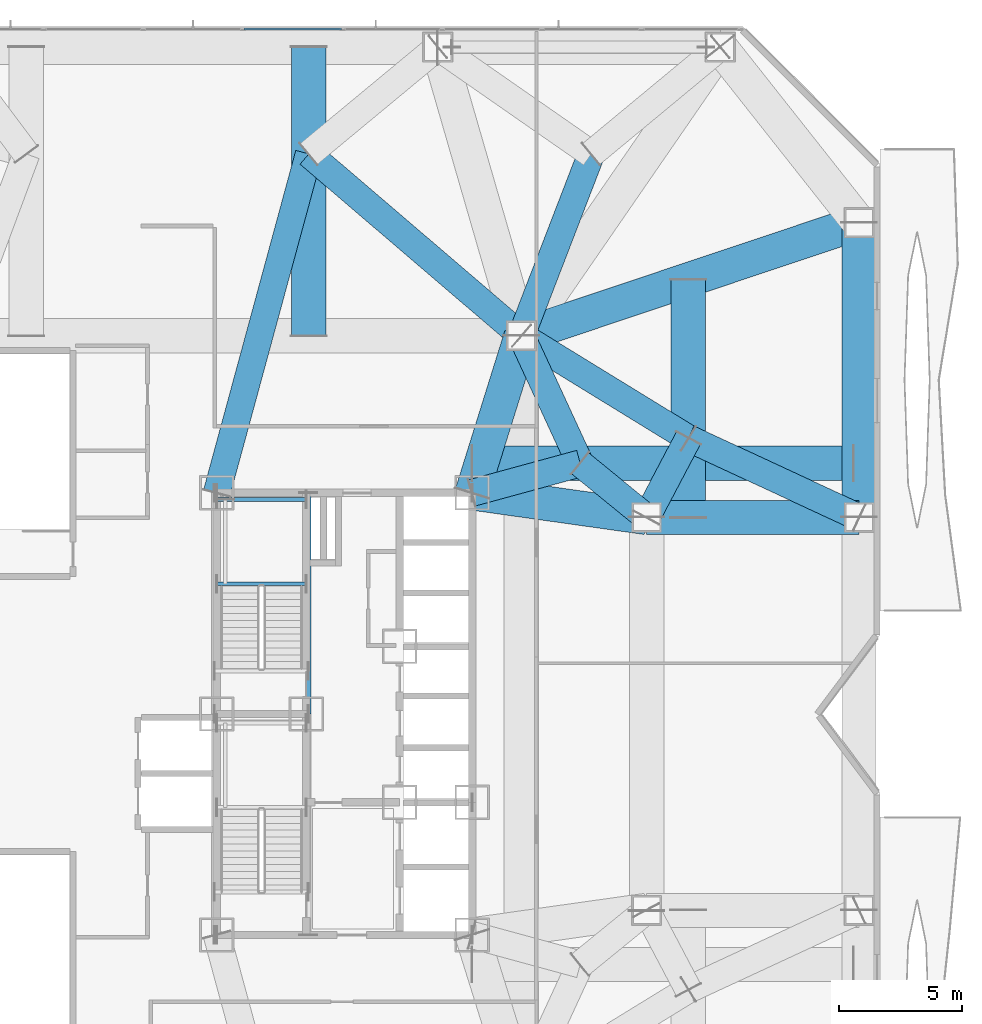
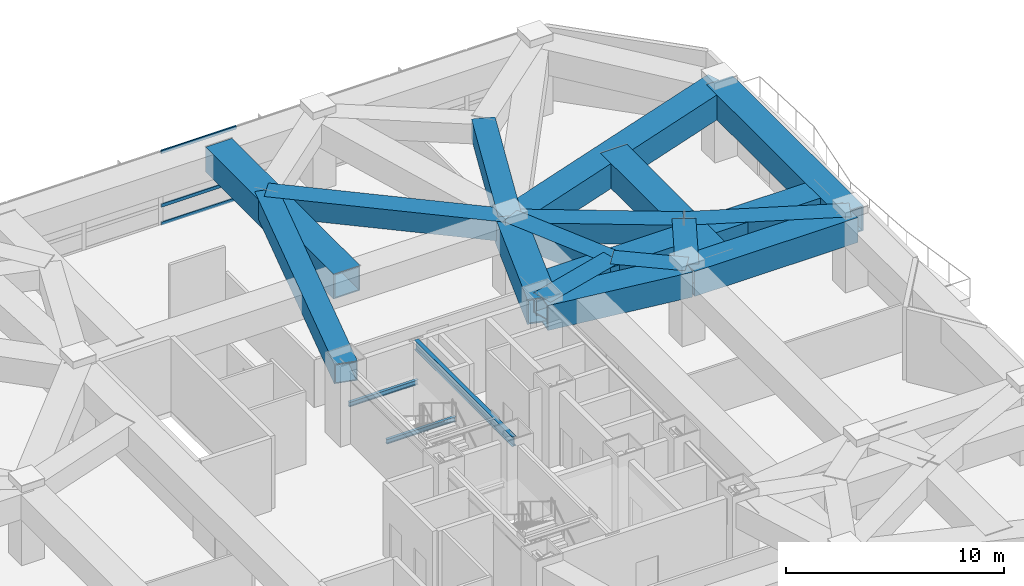
# One storey, part 9 of 27: 20 beams, 3 members, 1 element without a shape of its own.
"""IFC4 building model written with IfcOpenShell, lengths in metres."""

from ifc_helpers import new_model, si_unit, direction, frame, origin, origin_2d, place, context, subcontext, project, spatial, hollow_rectangle, i_section, extrude, material, material_profile, profile_set, type_object, element, aggregate, save


model = new_model("IFC4")

# Units and contexts
model_context = context("Model", 3, precision=1e-05, world=origin(), true_north=direction((0.0, 1.0)))
body_context = subcontext(model_context, "Body", "Model", "MODEL_VIEW")
ifc_project = project(units=[si_unit("LENGTHUNIT", "METRE"), si_unit("AREAUNIT", "SQUARE_METRE"), si_unit("VOLUMEUNIT", "CUBIC_METRE"), si_unit("PLANEANGLEUNIT", "RADIAN"), si_unit("MASSUNIT", "GRAM", prefix="KILO")], contexts=[model_context])

# Site, building, storey
site_placement = place(None, origin())
site = spatial("IfcSite", under=ifc_project, at=site_placement, CompositionType="ELEMENT")
building_placement = place(site_placement, origin())
building = spatial("IfcBuilding", under=site, at=building_placement, Name="Khamvora Tower", CompositionType="ELEMENT")
storey_placement = place(building_placement, frame((0.0, 0.0, 28.800048828125)))
storey = spatial("IfcBuildingStorey", under=building, at=storey_placement, Name="L06", CompositionType="ELEMENT", Elevation=28.800048828125)

# Beams
ifc_material_1 = material(Name="Steel S355", Category="steel")
ifc_material_profile_1 = material_profile(ifc_material_1, i_section(OverallWidth=0.14697265625, OverallDepth=0.261962890625, WebThickness=0.007080078125, FlangeThickness=0.010986328125, FilletRadius=0.008056640625, at=origin_2d()), Name="W250x39")
ifc_profile_set_1 = profile_set([ifc_material_profile_1], Name="Steel S355")
beam_type_1 = type_object("IfcBeamType", Name="BM-LN-W250x39", PredefinedType="LINTEL", material=ifc_profile_set_1)
for number, where, z_axis, x_axis, name in (
    (1, (29.0, 33.294921875, 1.9189453125), (1.0, 0.0, 0.0), (0.0, 1.0, 0.0), "L06 ST-02 half-landing support beam 1.1"),
    (2, (29.0, 36.72998046875, 1.9189453125), (1.0, 0.0, 0.0), (0.0, 1.0, 0.0), "L06 ST-02 half-landing support beam 1.2"),
):
    element("IfcBeam", number, at=place(storey_placement, frame(where, z_axis=z_axis, x_axis=x_axis)), inside=storey, type_object=beam_type_1, Name=name, PredefinedType="LINTEL", context=body_context, shape_type="SweptSolid", body=[
        extrude(i_section(OverallWidth=0.14697265625, OverallDepth=0.261962890625, WebThickness=0.007080078125, FlangeThickness=0.010986328125, FilletRadius=0.008056640625, at=origin_2d()), origin(), (0.0, 0.0, 1.0), 3.64990234375),
    ])
ifc_material_profile_2 = material_profile(ifc_material_1, i_section(OverallWidth=0.208984375, OverallDepth=0.532958984375, WebThickness=0.010009765625, FlangeThickness=0.01611328125, FilletRadius=0.013916015625, at=origin_2d()), Name="W530x92")
ifc_profile_set_2 = profile_set([ifc_material_profile_2], Name="Steel S355")
beam_type_2 = type_object("IfcBeamType", Name="BM-SP-W530x92", PredefinedType="SPANDREL", material=ifc_profile_set_2)
beam_1_placement = place(storey_placement, frame((32.72998046875, 28.0, 3.81396484375), z_axis=(0.0, 1.0, 0.0), x_axis=(-1.0, 0.0, 0.0)))
element("IfcBeam", 3, at=beam_1_placement, inside=storey, type_object=beam_type_2, Name="L06 core spine girder M1N", PredefinedType="SPANDREL", context=body_context, shape_type="SweptSolid", body=[
    extrude(i_section(OverallWidth=0.208984375, OverallDepth=0.532958984375, WebThickness=0.010009765625, FlangeThickness=0.01611328125, FilletRadius=0.013916015625, at=origin_2d()), origin(), (0.0, 0.0, 1.0), 9.0),
])
ifc_material_2 = material(Name="Steel S460", Category="steel")
ifc_material_profile_3 = material_profile(ifc_material_2, hollow_rectangle(XDim=1.10009765625, YDim=1.10009765625, WallThickness=0.054931640625, at=origin_2d()), Name="BOX1100x1100x55")
ifc_profile_set_3 = profile_set([ifc_material_profile_3], Name="Steel S460")
beam_type_3 = type_object("IfcBeamType", Name="BM-TG-BOX1100", PredefinedType="BEAM", material=ifc_profile_set_3)
beam_2_placement = place(storey_placement, frame((41.39990234375, 43.39990234375, 3.530029296875), z_axis=(-0.75986637212, 0.650079300179, 0.0), x_axis=(-0.650079300179, -0.75986637212, 0.0)))
element("IfcBeam", 4, at=beam_2_placement, inside=storey, type_object=beam_type_3, Name="L06 setback frame transfer frame transfer link N3.2", PredefinedType="BEAM", context=body_context, shape_type="SweptSolid", body=[
    extrude(hollow_rectangle(XDim=1.10009765625, YDim=1.10009765625, WallThickness=0.054931640625, at=origin_2d()), origin(), (0.0, 0.0, 1.0), 11.383544921875),
])
beam_3_placement = place(storey_placement, frame((29.0, 37.0, 3.530029296875), z_axis=(0.262228883577, 0.965005706003, 0.0), x_axis=(-0.965005706003, 0.262228883577, 0.0)))
element("IfcBeam", 5, at=beam_3_placement, inside=storey, type_object=beam_type_3, Name="L06 setback frame transfer frame transfer link N3.3", PredefinedType="BEAM", context=body_context, shape_type="SweptSolid", body=[
    extrude(hollow_rectangle(XDim=1.10009765625, YDim=1.10009765625, WallThickness=0.054931640625, at=origin_2d()), origin(), (0.0, 0.0, 1.0), 14.300537109375),
])
beam_4_placement = place(storey_placement, frame((41.39990234375, 43.39990234375, 3.530029296875), z_axis=(0.359406090735, 0.933181258889, 0.0), x_axis=(-0.933181258889, 0.359406090735, 0.0)))
element("IfcBeam", 6, at=beam_4_placement, inside=storey, type_object=beam_type_3, Name="L06 setback frame transfer frame transfer link N4.3", PredefinedType="BEAM", context=body_context, shape_type="SweptSolid", body=[
    extrude(hollow_rectangle(XDim=1.10009765625, YDim=1.10009765625, WallThickness=0.054931640625, at=origin_2d()), origin(), (0.0, 0.0, 1.0), 7.929931640625),
])
beam_5_placement = place(storey_placement, frame((46.5, 36.0, 3.530029296875), z_axis=(0.466290069128, 0.884631884703, 0.0), x_axis=(-0.884631884703, 0.466290069128, 0.0)))
element("IfcBeam", 7, at=beam_5_placement, inside=storey, type_object=beam_type_3, Name="L06 setback frame transfer frame transfer link E2.1", PredefinedType="BEAM", context=body_context, shape_type="SweptSolid", body=[
    extrude(hollow_rectangle(XDim=1.10009765625, YDim=1.10009765625, WallThickness=0.054931640625, at=origin_2d()), origin(), (0.0, 0.0, 1.0), 3.645751953125),
])
beam_6_placement = place(storey_placement, frame((55.14990234375, 36.0, 3.530029296875), z_axis=(-0.907091972169, 0.420932481553, 0.0), x_axis=(-0.420932481553, -0.907091972169, 0.0)))
element("IfcBeam", 8, at=beam_6_placement, inside=storey, type_object=beam_type_3, Name="L06 setback frame transfer frame transfer link E2.2", PredefinedType="BEAM", context=body_context, shape_type="SweptSolid", body=[
    extrude(hollow_rectangle(XDim=1.10009765625, YDim=1.10009765625, WallThickness=0.054931640625, at=origin_2d()), origin(), (0.0, 0.0, 1.0), 7.661865234375),
])
beam_7_placement = place(storey_placement, frame((41.39990234375, 43.39990234375, 3.530029296875), z_axis=(0.852208323889, -0.523202611514, 0.0), x_axis=(0.523202611514, 0.852208323889, 0.0)))
element("IfcBeam", 9, at=beam_7_placement, inside=storey, type_object=beam_type_3, Name="L06 setback frame transfer frame transfer link E2.3", PredefinedType="BEAM", context=body_context, shape_type="SweptSolid", body=[
    extrude(hollow_rectangle(XDim=1.10009765625, YDim=1.10009765625, WallThickness=0.054931640625, at=origin_2d()), origin(), (0.0, 0.0, 1.0), 7.979248046875),
])
beam_8_placement = place(storey_placement, frame((46.5, 36.0, 3.530029296875), z_axis=(-0.77523625691, 0.631671390814, 0.0), x_axis=(-0.631671390814, -0.77523625691, 0.0)))
element("IfcBeam", 10, at=beam_8_placement, inside=storey, type_object=beam_type_3, Name="L06 setback frame transfer frame transfer link M2.1", PredefinedType="BEAM", context=body_context, shape_type="SweptSolid", body=[
    extrude(hollow_rectangle(XDim=1.10009765625, YDim=1.10009765625, WallThickness=0.054931640625, at=origin_2d()), origin(), (0.0, 0.0, 1.0), 3.482666015625),
])
beam_9_placement = place(storey_placement, frame((39.39990234375, 37.0, 3.530029296875), z_axis=(0.964768762286, 0.263099287945, 0.0), x_axis=(-0.263099287945, 0.964768762286, 0.0)))
element("IfcBeam", 11, at=beam_9_placement, inside=storey, type_object=beam_type_3, Name="L06 setback frame transfer frame transfer link M2.2", PredefinedType="BEAM", context=body_context, shape_type="SweptSolid", body=[
    extrude(hollow_rectangle(XDim=1.10009765625, YDim=1.10009765625, WallThickness=0.054931640625, at=origin_2d()), origin(), (0.0, 0.0, 1.0), 4.560791015625),
])
beam_10_placement = place(storey_placement, frame((41.39990234375, 43.39990234375, 3.530029296875), z_axis=(0.419082506848, -0.907948155158, 0.0), x_axis=(0.907948155158, 0.419082506848, 0.0)))
element("IfcBeam", 12, at=beam_10_placement, inside=storey, type_object=beam_type_3, Name="L06 setback frame transfer frame transfer link M2.3", PredefinedType="BEAM", context=body_context, shape_type="SweptSolid", body=[
    extrude(hollow_rectangle(XDim=1.10009765625, YDim=1.10009765625, WallThickness=0.054931640625, at=origin_2d()), origin(), (0.0, 0.0, 1.0), 5.72705078125),
])
ifc_material_profile_4 = material_profile(ifc_material_2, hollow_rectangle(XDim=1.39990234375, YDim=1.39990234375, WallThickness=0.070068359375, at=origin_2d()), Name="BOX1400x1400x70")
ifc_profile_set_4 = profile_set([ifc_material_profile_4], Name="Steel S460")
beam_type_4 = type_object("IfcBeamType", Name="BM-TG-BOX1400", PredefinedType="BEAM", material=ifc_profile_set_4)
beam_11_placement = place(storey_placement, frame((55.14990234375, 36.0, 3.3798828125), z_axis=(0.0, 1.0, 0.0), x_axis=(-1.0, 0.0, 0.0)))
element("IfcBeam", 13, at=beam_11_placement, inside=storey, type_object=beam_type_4, Name="L06 perimeter spandrel beam P15-P16", PredefinedType="BEAM", context=body_context, shape_type="SweptSolid", body=[
    extrude(hollow_rectangle(XDim=1.39990234375, YDim=1.39990234375, WallThickness=0.070068359375, at=origin_2d()), origin(), (0.0, 0.0, 1.0), 12.0),
])
beam_12_placement = place(storey_placement, frame((46.5, 36.0, 3.3798828125), z_axis=(1.0, 0.0, 0.0), x_axis=(0.0, 1.0, 0.0)))
element("IfcBeam", 14, at=beam_12_placement, inside=storey, type_object=beam_type_4, Name="L06 primary floor girder P15", PredefinedType="BEAM", context=body_context, shape_type="SweptSolid", body=[
    extrude(hollow_rectangle(XDim=1.39990234375, YDim=1.39990234375, WallThickness=0.070068359375, at=origin_2d()), origin(), (0.0, 0.0, 1.0), 8.64990234375),
])
beam_13_placement = place(storey_placement, frame((41.39990234375, 43.39990234375, 3.3798828125), z_axis=(0.948335857324, 0.31726818579, 0.0), x_axis=(-0.31726818579, 0.948335857324, 0.0)))
element("IfcBeam", 15, at=beam_13_placement, inside=storey, type_object=beam_type_4, Name="L06 primary floor girder P16", PredefinedType="BEAM", context=body_context, shape_type="SweptSolid", body=[
    extrude(hollow_rectangle(XDim=1.39990234375, YDim=1.39990234375, WallThickness=0.070068359375, at=origin_2d()), origin(), (0.0, 0.0, 1.0), 14.4990234375),
])
beam_14_placement = place(storey_placement, frame((39.39990234375, 37.0, 3.3798828125), z_axis=(0.298279139585, 0.95447868226, 0.0), x_axis=(-0.95447868226, 0.298279139585, 0.0)))
element("IfcBeam", 16, at=beam_14_placement, inside=storey, type_object=beam_type_4, Name="L06 primary floor girder P20", PredefinedType="BEAM", context=body_context, shape_type="SweptSolid", body=[
    extrude(hollow_rectangle(XDim=1.39990234375, YDim=1.39990234375, WallThickness=0.070068359375, at=origin_2d()), origin(), (0.0, 0.0, 1.0), 6.705078125),
])
beam_15_placement = place(storey_placement, frame((39.39990234375, 37.0, 3.3798828125), z_axis=(0.990226770029, -0.139466640879, 0.0), x_axis=(0.139466640879, 0.990226770029, 0.0)))
element("IfcBeam", 17, at=beam_15_placement, inside=storey, type_object=beam_type_4, Name="L06 primary floor girder P24", PredefinedType="BEAM", context=body_context, shape_type="SweptSolid", body=[
    extrude(hollow_rectangle(XDim=1.39990234375, YDim=1.39990234375, WallThickness=0.070068359375, at=origin_2d()), origin(), (0.0, 0.0, 1.0), 7.170166015625),
])
beam_16_placement = place(storey_placement, frame((32.75, 43.39990234375, 3.3798828125), z_axis=(0.0, 1.0, 0.0), x_axis=(-1.0, 0.0, 0.0)))
element("IfcBeam", 18, at=beam_16_placement, inside=storey, type_object=beam_type_4, Name="L06 setback frame transfer Box Girder N3", PredefinedType="BEAM", context=body_context, shape_type="SweptSolid", body=[
    extrude(hollow_rectangle(XDim=1.39990234375, YDim=1.39990234375, WallThickness=0.070068359375, at=origin_2d()), origin(), (0.0, 0.0, 1.0), 11.75),
])
beam_17_placement = place(storey_placement, frame((48.199951171875, 36.0, 3.3798828125), z_axis=(0.0, 1.0, 0.0), x_axis=(-1.0, 0.0, 0.0)))
element("IfcBeam", 19, at=beam_17_placement, inside=storey, type_object=beam_type_4, Name="L06 setback frame transfer Box Girder E2", PredefinedType="BEAM", context=body_context, shape_type="SweptSolid", body=[
    extrude(hollow_rectangle(XDim=1.39990234375, YDim=1.39990234375, WallThickness=0.070068359375, at=origin_2d()), origin(), (0.0, 0.0, 1.0), 9.675048828125),
])
beam_18_placement = place(storey_placement, frame((39.39990234375, 38.199951171875, 3.3798828125), z_axis=(1.0, 0.0, 0.0), x_axis=(0.0, 1.0, 0.0)))
element("IfcBeam", 20, at=beam_18_placement, inside=storey, type_object=beam_type_4, Name="L06 setback frame transfer Box Girder MW2", PredefinedType="BEAM", context=body_context, shape_type="SweptSolid", body=[
    extrude(hollow_rectangle(XDim=1.39990234375, YDim=1.39990234375, WallThickness=0.070068359375, at=origin_2d()), origin(), (0.0, 0.0, 1.0), 15.510009765625),
])

# Curtain wall, members
ifc_material_3 = material(Name="Anodised Aluminium 6063-T6", Category="aluminium")
curtain_wall_type = type_object("IfcCurtainWallType", Name="CW-SYS-01", PredefinedType="NOTDEFINED", material=ifc_material_3)
curtain_wall_placement = place(storey_placement, origin())
curtain_wall = element("IfcCurtainWall", 21, at=curtain_wall_placement, inside=storey, type_object=curtain_wall_type, Name="L06 stick curtain wall 07.1", PredefinedType="NOTDEFINED")
ifc_material_profile_5 = material_profile(ifc_material_3, hollow_rectangle(XDim=0.074951171875, YDim=0.179931640625, WallThickness=0.0048828125, at=origin_2d()), Name="TRN75x180x5")
ifc_profile_set_5 = profile_set([ifc_material_profile_5], Name="Anodised Aluminium 6063-T6")
member_type = type_object("IfcMemberType", Name="CW-SYS-01-TRN", PredefinedType="USERDEFINED", material=ifc_profile_set_5)
member_1_placement = place(storey_placement, frame((30.104248046875, 55.8798828125, 0.037353515625), z_axis=(1.0, 0.0, 0.0), x_axis=(0.0, 1.0, 0.0)))
member_1 = element("IfcMember", 22, at=member_1_placement, type_object=member_type, Name="CW-01 transom 7.1", ObjectType="TRANSOM", PredefinedType="USERDEFINED", context=body_context, shape_type="SweptSolid", body=[
    extrude(hollow_rectangle(XDim=0.074951171875, YDim=0.179931640625, WallThickness=0.0048828125, at=origin_2d()), origin(), (0.0, 0.0, 1.0), 3.981689453125),
])
member_2_placement = place(storey_placement, frame((30.104248046875, 55.8798828125, 1.050048828125), z_axis=(1.0, 0.0, 0.0), x_axis=(0.0, 1.0, 0.0)))
member_2 = element("IfcMember", 23, at=member_2_placement, type_object=member_type, Name="CW-01 transom 7.2", ObjectType="TRANSOM", PredefinedType="USERDEFINED", context=body_context, shape_type="SweptSolid", body=[
    extrude(hollow_rectangle(XDim=0.074951171875, YDim=0.179931640625, WallThickness=0.0048828125, at=origin_2d()), origin(), (0.0, 0.0, 1.0), 3.981689453125),
])
member_3_placement = place(storey_placement, frame((30.104248046875, 55.8798828125, 4.04248046875), z_axis=(1.0, 0.0, 0.0), x_axis=(0.0, 1.0, 0.0)))
member_3 = element("IfcMember", 24, at=member_3_placement, type_object=member_type, Name="CW-01 transom 7.3", ObjectType="TRANSOM", PredefinedType="USERDEFINED", context=body_context, shape_type="SweptSolid", body=[
    extrude(hollow_rectangle(XDim=0.074951171875, YDim=0.179931640625, WallThickness=0.0048828125, at=origin_2d()), origin(), (0.0, 0.0, 1.0), 3.981689453125),
])
aggregate(curtain_wall, [member_1, member_2, member_3])

save(model, "model.ifc")
